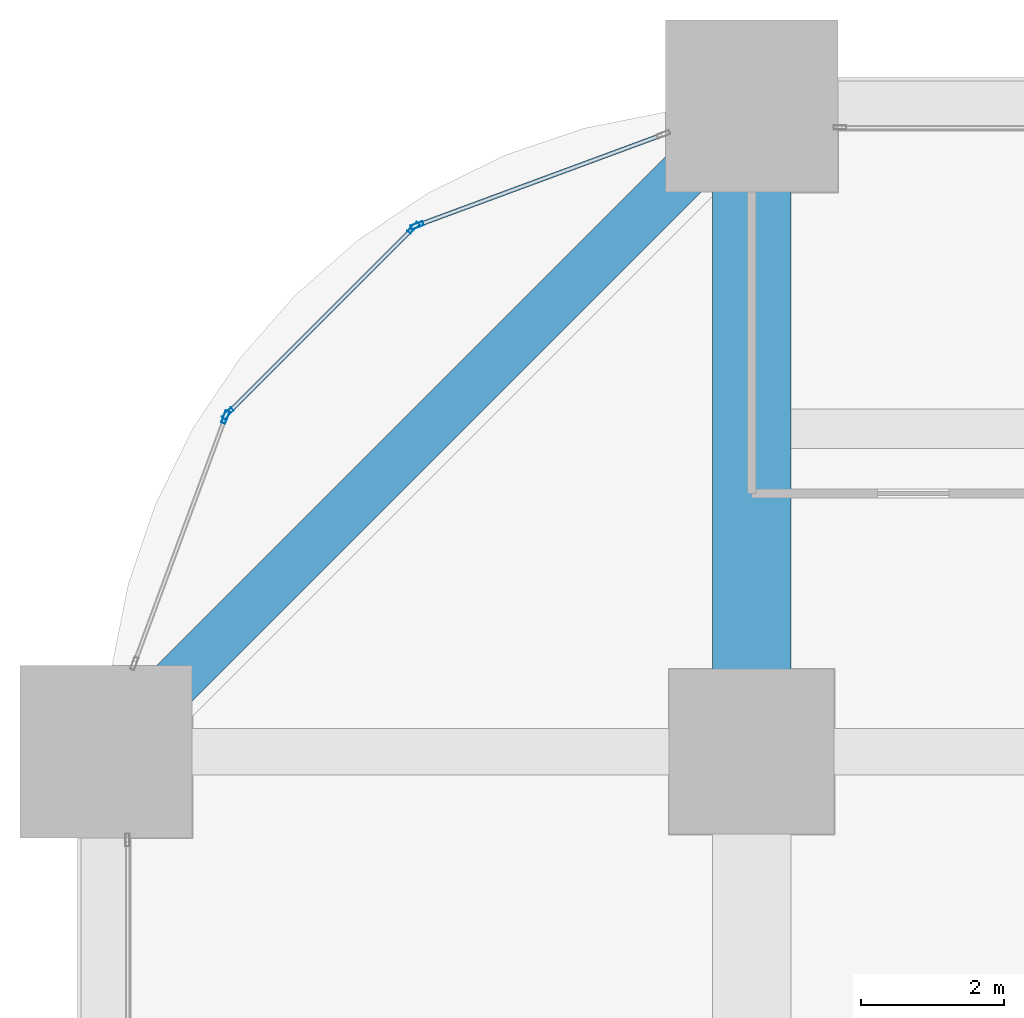
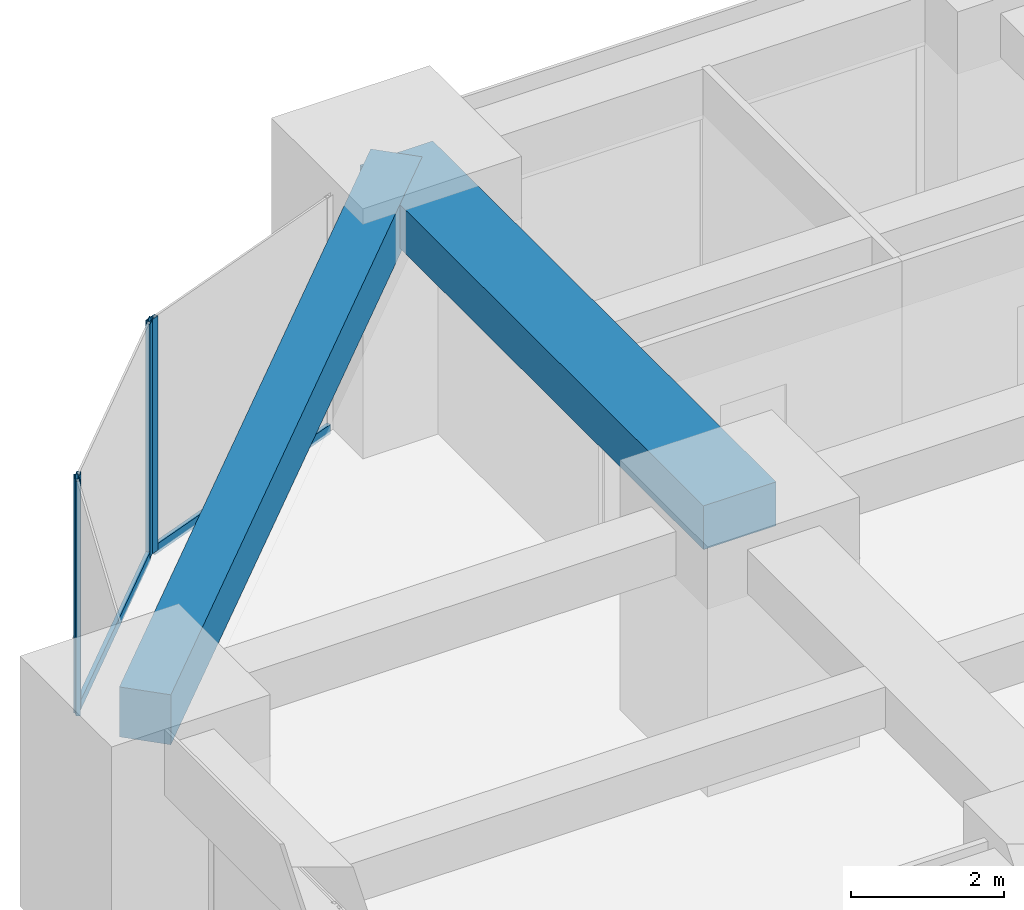
# One storey, part 27 of 45: 6 members, 2 beams, 3 elements without a shape of their own.
"""IFC4 building model written with IfcOpenShell, lengths in metres."""

from ifc_helpers import new_model, si_unit, direction, frame, origin, origin_2d, place, context, subcontext, project, spatial, rectangle, hollow_rectangle, extrude, material, material_profile, profile_set, type_object, element, aggregate, save


model = new_model("IFC4")

# Units and contexts
model_context = context("Model", 3, precision=1e-05, world=origin(), true_north=direction((0.0, 1.0)))
body_context = subcontext(model_context, "Body", "Model", "MODEL_VIEW")
ifc_project = project(units=[si_unit("LENGTHUNIT", "METRE"), si_unit("AREAUNIT", "SQUARE_METRE"), si_unit("VOLUMEUNIT", "CUBIC_METRE"), si_unit("PLANEANGLEUNIT", "RADIAN"), si_unit("MASSUNIT", "GRAM", prefix="KILO")], contexts=[model_context])

# Site, building, storey
site_placement = place(None, origin())
site = spatial("IfcSite", under=ifc_project, at=site_placement, CompositionType="ELEMENT")
building_placement = place(site_placement, origin())
building = spatial("IfcBuilding", under=site, at=building_placement, Name="Zorevar Civic Tower", CompositionType="ELEMENT")
storey_placement = place(building_placement, frame((0.0, 0.0, 47.800048828125)))
storey = spatial("IfcBuildingStorey", under=building, at=storey_placement, Name="L11", CompositionType="ELEMENT", Elevation=47.800048828125)

# Beam
ifc_material_1 = material(Name="Concrete C50/60", Category="concrete")
ifc_material_profile_1 = material_profile(ifc_material_1, rectangle(XDim=1.10009765625, YDim=0.699951171875, at=origin_2d()), Name="RC 1100x700")
ifc_profile_set_1 = profile_set([ifc_material_profile_1], Name="Concrete C50/60")
beam_type_1 = type_object("IfcBeamType", Name="Beam RC 1100x700", PredefinedType="BEAM", material=ifc_profile_set_1)
beam_1_placement = place(storey_placement, frame((9.0, 45.0, 3.39990234375), z_axis=(0.0, 1.0, 0.0), x_axis=(-1.0, 0.0, 0.0)))
element("IfcBeam", 1, at=beam_1_placement, inside=storey, type_object=beam_type_1, Name="Girder L12", PredefinedType="BEAM", context=body_context, shape_type="SweptSolid", body=[
    extrude(rectangle(XDim=1.10009765625, YDim=0.699951171875, at=origin_2d()), origin(), (0.0, 0.0, 1.0), 9.0),
])

# Curtain wall, member
ifc_material_2 = material(Name="Dark grey solar-control glass in black aluminium frame", Category="aluminium")
curtain_wall_type = type_object("IfcCurtainWallType", Name="Curtain wall CW2 low zone", PredefinedType="NOTDEFINED", material=ifc_material_2)
curtain_wall_1_placement = place(storey_placement, origin())
curtain_wall_1 = element("IfcCurtainWall", 2, at=curtain_wall_1_placement, inside=storey, type_object=curtain_wall_type, Name="CW2 L11", PredefinedType="NOTDEFINED")
ifc_material_3 = material(Name="Aluminium, black anodised", Category="aluminium")
ifc_material_profile_2 = material_profile(ifc_material_3, hollow_rectangle(XDim=0.06005859375, YDim=0.179931640625, WallThickness=0.00390625, at=origin_2d()), Name="AL 180x60x4")
ifc_profile_set_2 = profile_set([ifc_material_profile_2], Name="Aluminium, black anodised")
member_type_1 = type_object("IfcMemberType", Name="CW2 mullion AL 180x60x4", PredefinedType="MULLION", material=ifc_profile_set_2)
member_1_placement = place(storey_placement, frame((4.33544921875, 52.336181640625, 0.0), z_axis=(0.0, 0.0, 1.0), x_axis=(0.346704012033, -0.937974588163, 0.0)))
member_1 = element("IfcMember", 3, at=member_1_placement, type_object=member_type_1, Name="CW2 mullion 2", PredefinedType="MULLION", context=body_context, shape_type="SweptSolid", body=[
    extrude(hollow_rectangle(XDim=0.06005859375, YDim=0.179931640625, WallThickness=0.00390625, at=origin_2d()), origin(), (0.0, 0.0, 1.0), 3.75),
])

# Curtain wall, members
curtain_wall_2_placement = place(storey_placement, origin())
curtain_wall_2 = element("IfcCurtainWall", 4, at=curtain_wall_2_placement, inside=storey, type_object=curtain_wall_type, Name="CW2 L11", PredefinedType="NOTDEFINED")
member_2_placement = place(storey_placement, frame((4.2861328125, 52.3046875, 0.0), z_axis=(0.0, 0.0, 1.0), x_axis=(0.707106781187, -0.707106781187, 0.0)))
member_2 = element("IfcMember", 5, at=member_2_placement, type_object=member_type_1, Name="CW2 mullion 1", PredefinedType="MULLION", context=body_context, shape_type="SweptSolid", body=[
    extrude(hollow_rectangle(XDim=0.06005859375, YDim=0.179931640625, WallThickness=0.00390625, at=origin_2d()), origin(), (0.0, 0.0, 1.0), 3.75),
])
member_3_placement = place(storey_placement, frame((1.6953125, 49.7138671875, 0.0), z_axis=(0.0, 0.0, 1.0), x_axis=(0.707106781187, -0.707106781187, 0.0)))
member_3 = element("IfcMember", 6, at=member_3_placement, type_object=member_type_1, Name="CW2 mullion 2", PredefinedType="MULLION", context=body_context, shape_type="SweptSolid", body=[
    extrude(hollow_rectangle(XDim=0.06005859375, YDim=0.179931640625, WallThickness=0.00390625, at=origin_2d()), origin(), (0.0, 0.0, 1.0), 3.75),
])

# Curtain wall, member
curtain_wall_3_placement = place(storey_placement, origin())
curtain_wall_3 = element("IfcCurtainWall", 7, at=curtain_wall_3_placement, inside=storey, type_object=curtain_wall_type, Name="CW2 L11", PredefinedType="NOTDEFINED")
member_4_placement = place(storey_placement, frame((1.663818359375, 49.66455078125, 0.0), z_axis=(0.0, 0.0, 1.0), x_axis=(0.937974588163, -0.346704012033, 0.0)))
member_4 = element("IfcMember", 8, at=member_4_placement, type_object=member_type_1, Name="CW2 mullion 1", PredefinedType="MULLION", context=body_context, shape_type="SweptSolid", body=[
    extrude(hollow_rectangle(XDim=0.06005859375, YDim=0.179931640625, WallThickness=0.00390625, at=origin_2d()), origin(), (0.0, 0.0, 1.0), 3.75),
])
aggregate(curtain_wall_3, [member_4])

# Member
ifc_material_4 = material(Name="Aluminium, black anodised", Category="aluminium")
ifc_material_profile_3 = material_profile(ifc_material_4, hollow_rectangle(XDim=0.06005859375, YDim=0.14990234375, WallThickness=0.00390625, at=origin_2d()), Name="AL 150x60x4")
ifc_profile_set_3 = profile_set([ifc_material_profile_3], Name="Aluminium, black anodised")
member_type_2 = type_object("IfcMemberType", Name="CW2 transom AL 150x60x4", PredefinedType="USERDEFINED", material=ifc_profile_set_3)
member_5_placement = place(storey_placement, frame((7.74365234375, 53.595947265625, 0.030029296875), z_axis=(-0.93798635741, -0.346672169799, 0.0), x_axis=(0.346672169799, -0.93798635741, 0.0)))
member_5 = element("IfcMember", 9, at=member_5_placement, type_object=member_type_2, Name="CW2 sill transom", ObjectType="TRANSOM", PredefinedType="USERDEFINED", context=body_context, shape_type="SweptSolid", body=[
    extrude(hollow_rectangle(XDim=0.06005859375, YDim=0.14990234375, WallThickness=0.00390625, at=origin_2d()), origin(), (0.0, 0.0, 1.0), 3.603515625),
])

aggregate(curtain_wall_1, [member_1, member_5])

member_6_placement = place(storey_placement, frame((4.264892578125, 52.283447265625, 0.030029296875), z_axis=(-0.707106781187, -0.707106781187, 0.0), x_axis=(0.707106781187, -0.707106781187, 0.0)))
member_6 = element("IfcMember", 10, at=member_6_placement, type_object=member_type_2, Name="CW2 sill transom", ObjectType="TRANSOM", PredefinedType="USERDEFINED", context=body_context, shape_type="SweptSolid", body=[
    extrude(hollow_rectangle(XDim=0.06005859375, YDim=0.14990234375, WallThickness=0.00390625, at=origin_2d()), origin(), (0.0, 0.0, 1.0), 3.60400390625),
])

aggregate(curtain_wall_2, [member_2, member_3, member_6])

# Beam
ifc_material_5 = material(Name="Concrete C50/60", Category="concrete")
ifc_material_profile_4 = material_profile(ifc_material_5, rectangle(XDim=0.699951171875, YDim=0.800048828125, at=origin_2d()), Name="RC 700x800")
ifc_profile_set_4 = profile_set([ifc_material_profile_4], Name="Concrete C50/60")
beam_type_2 = type_object("IfcBeamType", Name="Edge beam RC 700x800", PredefinedType="SPANDREL", material=ifc_profile_set_4)
beam_2_placement = place(storey_placement, frame((9.0, 54.0, 3.349853515625), z_axis=(-0.707106781187, -0.707106781187, 0.0), x_axis=(0.707106781187, -0.707106781187, 0.0)))
element("IfcBeam", 11, at=beam_2_placement, inside=storey, type_object=beam_type_2, Name="Corner edge beam L12", PredefinedType="SPANDREL", context=body_context, shape_type="SweptSolid", body=[
    extrude(rectangle(XDim=0.699951171875, YDim=0.800048828125, at=origin_2d()), origin(), (0.0, 0.0, 1.0), 12.72802734375),
])

save(model, "model.ifc")
